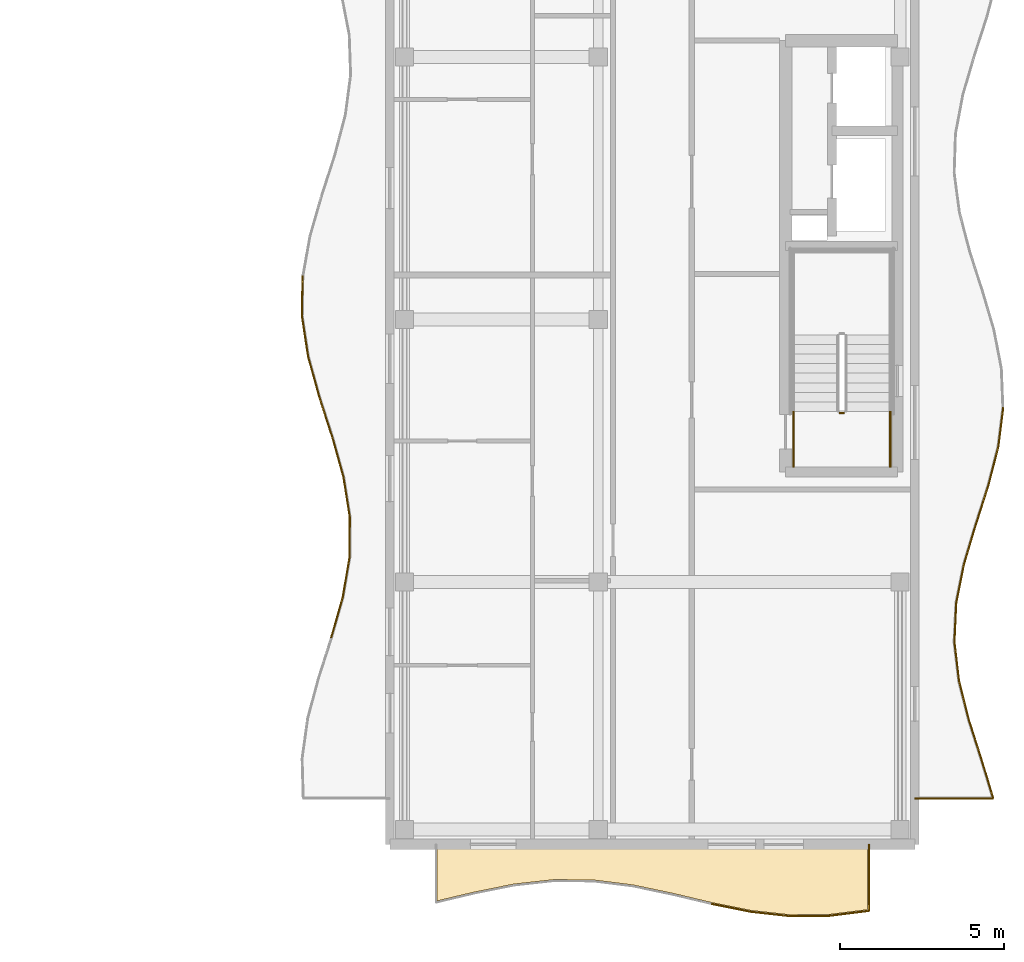
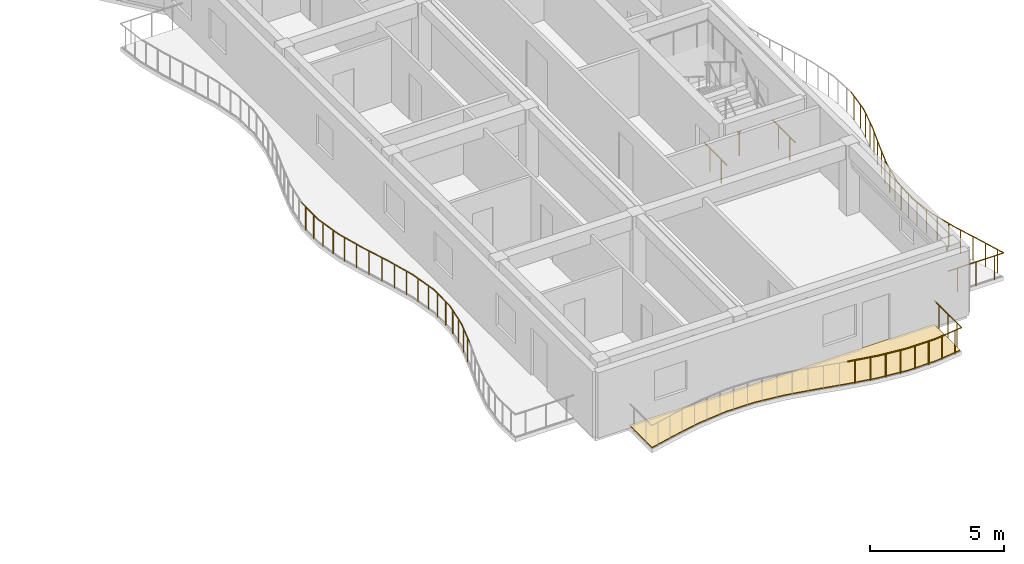
# One storey, part 62 of 68: 28 railings, 1 covering.
"""IFC4 building model written with IfcOpenShell, lengths in metres."""

from ifc_helpers import new_model, si_unit, direction, frame, origin, origin_2d, place, context, subcontext, project, spatial, polyline, circle, outline, extrude, material, layer, layer_set, type_object, element, save


model = new_model("IFC4")

# Units and contexts
model_context = context("Model", 3, precision=1e-05, world=origin(), true_north=direction((0.0, 1.0)))
body_context = subcontext(model_context, "Body", "Model", "MODEL_VIEW")
ifc_project = project(units=[si_unit("LENGTHUNIT", "METRE"), si_unit("AREAUNIT", "SQUARE_METRE"), si_unit("VOLUMEUNIT", "CUBIC_METRE"), si_unit("PLANEANGLEUNIT", "RADIAN"), si_unit("MASSUNIT", "GRAM", prefix="KILO")], contexts=[model_context])

# Site, building, storey
site_placement = place(None, origin())
site = spatial("IfcSite", under=ifc_project, at=site_placement, CompositionType="ELEMENT")
building_placement = place(site_placement, origin())
building = spatial("IfcBuilding", under=site, at=building_placement, Name="Keldmere Railside Commons", CompositionType="ELEMENT")
storey_placement = place(building_placement, frame((0.0, 0.0, 23.360107421875)))
storey = spatial("IfcBuildingStorey", under=building, at=storey_placement, Name="L07", CompositionType="ELEMENT", Elevation=23.360107421875)

# Railings
ifc_material_1 = material(Name="Steel F-24 (S235)", Category="steel")
railing_type_1 = type_object("IfcRailingType", Name="Balcony & Terrace Steel Balustrade 1100", PredefinedType="BALUSTRADE", material=ifc_material_1)
railing_1_placement = place(storey_placement, frame((166.208740234375, 62.300048828125, 0.0)))
element("IfcRailing", 1, at=railing_1_placement, inside=storey, type_object=railing_type_1, Name="GR-1 GRD-L07-3990", PredefinedType="BALUSTRADE", context=body_context, shape_type="SweptSolid", body=[
    extrude(circle(Radius=0.02392578125, at=origin_2d()), frame((0.0, 0.0, 1.076171875), z_axis=(0.275707887793, 0.961241468419, 0.0), x_axis=(-0.961241468419, 0.275707887793, 0.0)), (0.0, 0.0, 1.0), 1.274169921875),
    extrude(circle(Radius=0.02099609375, at=origin_2d()), frame((0.087890625, 0.30615234375, 0.0)), (0.0, 0.0, 1.0), 1.048095703125),
    extrude(circle(Radius=0.02099609375, at=origin_2d()), frame((0.263427734375, 0.918701171875, 0.0)), (0.0, 0.0, 1.0), 1.048095703125),
])
railing_2_placement = place(storey_placement, frame((166.56005859375, 63.52490234375, 0.0)))
element("IfcRailing", 2, at=railing_2_placement, inside=storey, type_object=railing_type_1, Name="GR-1 GRD-L07-3991", PredefinedType="BALUSTRADE", context=body_context, shape_type="SweptSolid", body=[
    extrude(circle(Radius=0.02392578125, at=origin_2d()), frame((0.0, 0.0, 1.076171875), z_axis=(0.16815679232, 0.985760261522, 0.0), x_axis=(-0.985760261522, 0.16815679232, 0.0)), (0.0, 0.0, 1.0), 1.24267578125),
    extrude(circle(Radius=0.02099609375, at=origin_2d()), frame((0.05224609375, 0.30615234375, 0.0)), (0.0, 0.0, 1.0), 1.048095703125),
    extrude(circle(Radius=0.02099609375, at=origin_2d()), frame((0.15673828125, 0.9189453125, 0.0)), (0.0, 0.0, 1.0), 1.048095703125),
])
railing_3_placement = place(storey_placement, frame((166.76904296875, 64.75, 0.0)))
element("IfcRailing", 3, at=railing_3_placement, inside=storey, type_object=railing_type_1, Name="GR-1 GRD-L07-3992", PredefinedType="BALUSTRADE", context=body_context, shape_type="SweptSolid", body=[
    extrude(circle(Radius=0.02392578125, at=origin_2d()), frame((0.0, 0.0, 1.076171875), z_axis=(0.006775452287, 0.99997704636, 0.0), x_axis=(-0.99997704636, 0.006775452287, 0.0)), (0.0, 0.0, 1.0), 1.22509765625),
    extrude(circle(Radius=0.02099609375, at=origin_2d()), frame((0.001953125, 0.30615234375, 0.0)), (0.0, 0.0, 1.0), 1.048095703125),
    extrude(circle(Radius=0.02099609375, at=origin_2d()), frame((0.00634765625, 0.9189453125, 0.0)), (0.0, 0.0, 1.0), 1.048095703125),
])
railing_4_placement = place(storey_placement, frame((166.77734375, 65.97509765625, 0.0)))
element("IfcRailing", 4, at=railing_4_placement, inside=storey, type_object=railing_type_1, Name="GR-1 GRD-L07-3993", PredefinedType="BALUSTRADE", context=body_context, shape_type="SweptSolid", body=[
    extrude(circle(Radius=0.02392578125, at=origin_2d()), frame((0.0, 0.0, 1.076171875), z_axis=(-0.156700488584, 0.98764616988, 0.0), x_axis=(-0.98764616988, -0.156700488584, 0.0)), (0.0, 0.0, 1.0), 1.240234375),
    extrude(circle(Radius=0.02099609375, at=origin_2d()), frame((-0.048583984375, 0.30615234375, 0.0)), (0.0, 0.0, 1.0), 1.048095703125),
    extrude(circle(Radius=0.02099609375, at=origin_2d()), frame((-0.145751953125, 0.918701171875, 0.0)), (0.0, 0.0, 1.0), 1.048095703125),
])
railing_5_placement = place(storey_placement, frame((166.5830078125, 67.199951171875, 0.0)))
element("IfcRailing", 5, at=railing_5_placement, inside=storey, type_object=railing_type_1, Name="GR-1 GRD-L07-3994", PredefinedType="BALUSTRADE", context=body_context, shape_type="SweptSolid", body=[
    extrude(circle(Radius=0.02392578125, at=origin_2d()), frame((0.0, 0.0, 1.076171875), z_axis=(-0.269800745392, 0.962916173811, 0.0), x_axis=(-0.962916173811, -0.269800745392, 0.0)), (0.0, 0.0, 1.0), 1.272216796875),
    extrude(circle(Radius=0.02099609375, at=origin_2d()), frame((-0.0859375, 0.30615234375, 0.0)), (0.0, 0.0, 1.0), 1.048095703125),
    extrude(circle(Radius=0.02099609375, at=origin_2d()), frame((-0.25732421875, 0.9189453125, 0.0)), (0.0, 0.0, 1.0), 1.048095703125),
])
railing_6_placement = place(storey_placement, frame((166.23974609375, 68.425048828125, 0.0)))
element("IfcRailing", 6, at=railing_6_placement, inside=storey, type_object=railing_type_1, Name="GR-1 GRD-L07-3995", PredefinedType="BALUSTRADE", context=body_context, shape_type="SweptSolid", body=[
    extrude(circle(Radius=0.02392578125, at=origin_2d()), frame((0.0, 0.0, 1.076171875), z_axis=(-0.307623344655, 0.951508212168, 0.0), x_axis=(-0.951508212168, -0.307623344655, 0.0)), (0.0, 0.0, 1.0), 1.287353515625),
    extrude(circle(Radius=0.02099609375, at=origin_2d()), frame((-0.09912109375, 0.30615234375, 0.0)), (0.0, 0.0, 1.0), 1.048095703125),
    extrude(circle(Radius=0.02099609375, at=origin_2d()), frame((-0.296875, 0.918701171875, 0.0)), (0.0, 0.0, 1.0), 1.048095703125),
])
railing_7_placement = place(storey_placement, frame((165.84375, 69.64990234375, 0.0)))
element("IfcRailing", 7, at=railing_7_placement, inside=storey, type_object=railing_type_1, Name="GR-1 GRD-L07-3996", PredefinedType="BALUSTRADE", context=body_context, shape_type="SweptSolid", body=[
    extrude(circle(Radius=0.02392578125, at=origin_2d()), frame((0.0, 0.0, 1.076171875), z_axis=(-0.266415213687, 0.963858357808, 0.0), x_axis=(-0.963858357808, -0.266415213687, 0.0)), (0.0, 0.0, 1.0), 1.27099609375),
    extrude(circle(Radius=0.02099609375, at=origin_2d()), frame((-0.084716796875, 0.30615234375, 0.0)), (0.0, 0.0, 1.0), 1.048095703125),
    extrude(circle(Radius=0.02099609375, at=origin_2d()), frame((-0.25390625, 0.9189453125, 0.0)), (0.0, 0.0, 1.0), 1.048095703125),
])
railing_8_placement = place(storey_placement, frame((165.505126953125, 70.875, 0.0)))
element("IfcRailing", 8, at=railing_8_placement, inside=storey, type_object=railing_type_1, Name="GR-1 GRD-L07-3997", PredefinedType="BALUSTRADE", context=body_context, shape_type="SweptSolid", body=[
    extrude(circle(Radius=0.02392578125, at=origin_2d()), frame((0.0, 0.0, 1.076171875), z_axis=(-0.15051734349, 0.98860736863, 0.0), x_axis=(-0.98860736863, -0.15051734349, 0.0)), (0.0, 0.0, 1.0), 1.2392578125),
    extrude(circle(Radius=0.02099609375, at=origin_2d()), frame((-0.046630859375, 0.30615234375, 0.0)), (0.0, 0.0, 1.0), 1.048095703125),
    extrude(circle(Radius=0.02099609375, at=origin_2d()), frame((-0.139892578125, 0.9189453125, 0.0)), (0.0, 0.0, 1.0), 1.048095703125),
])
railing_9_placement = place(storey_placement, frame((165.318603515625, 72.10009765625, 0.0)))
element("IfcRailing", 9, at=railing_9_placement, inside=storey, type_object=railing_type_1, Name="GR-1 GRD-L07-3998", PredefinedType="BALUSTRADE", context=body_context, shape_type="SweptSolid", body=[
    extrude(circle(Radius=0.02392578125, at=origin_2d()), frame((0.0, 0.0, 1.076171875), z_axis=(0.014349728262, 0.999897037349, 0.0), x_axis=(-0.999897037349, 0.014349728262, 0.0)), (0.0, 0.0, 1.0), 1.22509765625),
    extrude(circle(Radius=0.02099609375, at=origin_2d()), frame((0.00439453125, 0.30615234375, 0.0)), (0.0, 0.0, 1.0), 1.048095703125),
    extrude(circle(Radius=0.02099609375, at=origin_2d()), frame((0.01318359375, 0.918701171875, 0.0)), (0.0, 0.0, 1.0), 1.048095703125),
])
railing_10_placement = place(storey_placement, frame((184.0, 57.39990234375, 0.0)))
element("IfcRailing", 10, at=railing_10_placement, inside=storey, type_object=railing_type_1, Name="GR-1 GRD-L07-4011", PredefinedType="BALUSTRADE", context=body_context, shape_type="SweptSolid", body=[
    extrude(circle(Radius=0.02392578125, at=origin_2d()), frame((0.0, 0.0, 1.076171875), z_axis=(1.0, 0.0, 0.0), x_axis=(0.0, 1.0, 0.0)), (0.0, 0.0, 1.0), 2.388671875),
    extrude(circle(Radius=0.02099609375, at=origin_2d()), frame((0.398193359375, 0.0, 0.0)), (0.0, 0.0, 1.0), 1.048095703125),
    extrude(circle(Radius=0.02099609375, at=origin_2d()), frame((1.1943359375, 0.0, 0.0)), (0.0, 0.0, 1.0), 1.048095703125),
    extrude(circle(Radius=0.02099609375, at=origin_2d()), frame((1.990478515625, 0.0, 0.0)), (0.0, 0.0, 1.0), 1.048095703125),
])
railing_11_placement = place(storey_placement, frame((186.388671875, 57.39990234375, 0.0)))
element("IfcRailing", 11, at=railing_11_placement, inside=storey, type_object=railing_type_1, Name="GR-1 GRD-L07-4012", PredefinedType="BALUSTRADE", context=body_context, shape_type="SweptSolid", body=[
    extrude(circle(Radius=0.02392578125, at=origin_2d()), frame((0.0, 0.0, 1.076171875), z_axis=(-0.289218193733, 0.957263201222, 0.0), x_axis=(-0.957263201222, -0.289218193733, 0.0)), (0.0, 0.0, 1.0), 1.2451171875),
    extrude(circle(Radius=0.02099609375, at=origin_2d()), frame((-0.090087890625, 0.2978515625, 0.0)), (0.0, 0.0, 1.0), 1.048095703125),
    extrude(circle(Radius=0.02099609375, at=origin_2d()), frame((-0.27001953125, 0.89404296875, 0.0)), (0.0, 0.0, 1.0), 1.048095703125),
])
railing_12_placement = place(storey_placement, frame((186.028564453125, 58.591796875, 0.0)))
element("IfcRailing", 12, at=railing_12_placement, inside=storey, type_object=railing_type_1, Name="GR-1 GRD-L07-4013", PredefinedType="BALUSTRADE", context=body_context, shape_type="SweptSolid", body=[
    extrude(circle(Radius=0.02392578125, at=origin_2d()), frame((0.0, 0.0, 1.076171875), z_axis=(-0.304669497425, 0.952458134166, 0.0), x_axis=(-0.952458134166, -0.304669497425, 0.0)), (0.0, 0.0, 1.0), 1.2509765625),
    extrude(circle(Radius=0.02099609375, at=origin_2d()), frame((-0.09521484375, 0.2978515625, 0.0)), (0.0, 0.0, 1.0), 1.048095703125),
    extrude(circle(Radius=0.02099609375, at=origin_2d()), frame((-0.285888671875, 0.8935546875, 0.0)), (0.0, 0.0, 1.0), 1.048095703125),
])
railing_13_placement = place(storey_placement, frame((185.6474609375, 59.783203125, 0.0)))
element("IfcRailing", 13, at=railing_13_placement, inside=storey, type_object=railing_type_1, Name="GR-1 GRD-L07-4014", PredefinedType="BALUSTRADE", context=body_context, shape_type="SweptSolid", body=[
    extrude(circle(Radius=0.02392578125, at=origin_2d()), frame((0.0, 0.0, 1.076171875), z_axis=(-0.244871369054, 0.969555574796, 0.0), x_axis=(-0.969555574796, -0.244871369054, 0.0)), (0.0, 0.0, 1.0), 1.229248046875),
    extrude(circle(Radius=0.02099609375, at=origin_2d()), frame((-0.0751953125, 0.2978515625, 0.0)), (0.0, 0.0, 1.0), 1.048095703125),
    extrude(circle(Radius=0.02099609375, at=origin_2d()), frame((-0.225830078125, 0.89404296875, 0.0)), (0.0, 0.0, 1.0), 1.048095703125),
])
railing_14_placement = place(storey_placement, frame((185.346435546875, 60.97509765625, 0.0)))
element("IfcRailing", 14, at=railing_14_placement, inside=storey, type_object=railing_type_1, Name="GR-1 GRD-L07-4015", PredefinedType="BALUSTRADE", context=body_context, shape_type="SweptSolid", body=[
    extrude(circle(Radius=0.02392578125, at=origin_2d()), frame((0.0, 0.0, 1.076171875), z_axis=(-0.117797337256, 0.993037656555, 0.0), x_axis=(-0.993037656555, -0.117797337256, 0.0)), (0.0, 0.0, 1.0), 1.199951171875),
    extrude(circle(Radius=0.02099609375, at=origin_2d()), frame((-0.035400390625, 0.2978515625, 0.0)), (0.0, 0.0, 1.0), 1.048095703125),
    extrude(circle(Radius=0.02099609375, at=origin_2d()), frame((-0.10595703125, 0.893798828125, 0.0)), (0.0, 0.0, 1.0), 1.048095703125),
])
railing_15_placement = place(storey_placement, frame((185.205078125, 62.166748046875, 0.0)))
element("IfcRailing", 15, at=railing_15_placement, inside=storey, type_object=railing_type_1, Name="GR-1 GRD-L07-4016", PredefinedType="BALUSTRADE", context=body_context, shape_type="SweptSolid", body=[
    extrude(circle(Radius=0.02392578125, at=origin_2d()), frame((0.0, 0.0, 1.076171875), z_axis=(0.046456650211, 0.998920306957, 0.0), x_axis=(-0.998920306957, 0.046456650211, 0.0)), (0.0, 0.0, 1.0), 1.19287109375),
    extrude(circle(Radius=0.02099609375, at=origin_2d()), frame((0.013916015625, 0.2978515625, 0.0)), (0.0, 0.0, 1.0), 1.048095703125),
    extrude(circle(Radius=0.02099609375, at=origin_2d()), frame((0.04150390625, 0.893798828125, 0.0)), (0.0, 0.0, 1.0), 1.048095703125),
])
railing_16_placement = place(storey_placement, frame((185.260498046875, 63.3583984375, 0.0)))
element("IfcRailing", 16, at=railing_16_placement, inside=storey, type_object=railing_type_1, Name="GR-1 GRD-L07-4017", PredefinedType="BALUSTRADE", context=body_context, shape_type="SweptSolid", body=[
    extrude(circle(Radius=0.02392578125, at=origin_2d()), frame((0.0, 0.0, 1.076171875), z_axis=(0.1954978722, 0.980704125598, 0.0), x_axis=(-0.980704125598, 0.1954978722, 0.0)), (0.0, 0.0, 1.0), 1.215087890625),
    extrude(circle(Radius=0.02099609375, at=origin_2d()), frame((0.059326171875, 0.2978515625, 0.0)), (0.0, 0.0, 1.0), 1.048095703125),
    extrude(circle(Radius=0.02099609375, at=origin_2d()), frame((0.17822265625, 0.893798828125, 0.0)), (0.0, 0.0, 1.0), 1.048095703125),
])
railing_17_placement = place(storey_placement, frame((185.498046875, 64.550048828125, 0.0)))
element("IfcRailing", 17, at=railing_17_placement, inside=storey, type_object=railing_type_1, Name="GR-1 GRD-L07-4018", PredefinedType="BALUSTRADE", context=body_context, shape_type="SweptSolid", body=[
    extrude(circle(Radius=0.02392578125, at=origin_2d()), frame((0.0, 0.0, 1.076171875), z_axis=(0.287113817299, 0.957896474529, 0.0), x_axis=(-0.957896474529, 0.287113817299, 0.0)), (0.0, 0.0, 1.0), 1.244140625),
    extrude(circle(Radius=0.02099609375, at=origin_2d()), frame((0.08935546875, 0.2978515625, 0.0)), (0.0, 0.0, 1.0), 1.048095703125),
    extrude(circle(Radius=0.02099609375, at=origin_2d()), frame((0.267822265625, 0.893798828125, 0.0)), (0.0, 0.0, 1.0), 1.048095703125),
])
railing_18_placement = place(storey_placement, frame((185.855224609375, 65.74169921875, 0.0)))
element("IfcRailing", 18, at=railing_18_placement, inside=storey, type_object=railing_type_1, Name="GR-1 GRD-L07-4019", PredefinedType="BALUSTRADE", context=body_context, shape_type="SweptSolid", body=[
    extrude(circle(Radius=0.02392578125, at=origin_2d()), frame((0.0, 0.0, 1.076171875), z_axis=(0.30532074871, 0.952249568342, 0.0), x_axis=(-0.952249568342, 0.30532074871, 0.0)), (0.0, 0.0, 1.0), 1.25146484375),
    extrude(circle(Radius=0.02099609375, at=origin_2d()), frame((0.095458984375, 0.2978515625, 0.0)), (0.0, 0.0, 1.0), 1.048095703125),
    extrude(circle(Radius=0.02099609375, at=origin_2d()), frame((0.28662109375, 0.893798828125, 0.0)), (0.0, 0.0, 1.0), 1.048095703125),
])
railing_19_placement = place(storey_placement, frame((186.2373046875, 66.933349609375, 0.0)))
element("IfcRailing", 19, at=railing_19_placement, inside=storey, type_object=railing_type_1, Name="GR-1 GRD-L07-4020", PredefinedType="BALUSTRADE", context=body_context, shape_type="SweptSolid", body=[
    extrude(circle(Radius=0.02392578125, at=origin_2d()), frame((0.0, 0.0, 1.076171875), z_axis=(0.249019769385, 0.968498401886, 0.0), x_axis=(-0.968498401886, 0.249019769385, 0.0)), (0.0, 0.0, 1.0), 1.23046875),
    extrude(circle(Radius=0.02099609375, at=origin_2d()), frame((0.07666015625, 0.2978515625, 0.0)), (0.0, 0.0, 1.0), 1.048095703125),
    extrude(circle(Radius=0.02099609375, at=origin_2d()), frame((0.229736328125, 0.893798828125, 0.0)), (0.0, 0.0, 1.0), 1.048095703125),
])
railing_20_placement = place(storey_placement, frame((186.543701171875, 68.125, 0.0)))
element("IfcRailing", 20, at=railing_20_placement, inside=storey, type_object=railing_type_1, Name="GR-1 GRD-L07-4021", PredefinedType="BALUSTRADE", context=body_context, shape_type="SweptSolid", body=[
    extrude(circle(Radius=0.02392578125, at=origin_2d()), frame((0.0, 0.0, 1.076171875), z_axis=(0.124209874366, 0.992255968543, 0.0), x_axis=(-0.992255968543, 0.124209874366, 0.0)), (0.0, 0.0, 1.0), 1.200927734375),
    extrude(circle(Radius=0.02099609375, at=origin_2d()), frame((0.037353515625, 0.2978515625, 0.0)), (0.0, 0.0, 1.0), 1.048095703125),
    extrude(circle(Radius=0.02099609375, at=origin_2d()), frame((0.11181640625, 0.893798828125, 0.0)), (0.0, 0.0, 1.0), 1.048095703125),
])
railing_21_placement = place(storey_placement, frame((177.800048828125, 54.18798828125, 0.0)))
element("IfcRailing", 21, at=railing_21_placement, inside=storey, type_object=railing_type_1, Name="GR-1 GRD-L07-4082", PredefinedType="BALUSTRADE", context=body_context, shape_type="SweptSolid", body=[
    extrude(circle(Radius=0.02392578125, at=origin_2d()), frame((0.0, 0.0, 1.076171875), z_axis=(0.9804269321, -0.196883292367, 0.0), x_axis=(0.196883292367, 0.9804269321, 0.0)), (0.0, 0.0, 1.0), 1.223876953125),
    extrude(circle(Radius=0.02099609375, at=origin_2d()), frame((0.300048828125, -0.060302734375, 0.0)), (0.0, 0.0, 1.0), 1.048095703125),
    extrude(circle(Radius=0.02099609375, at=origin_2d()), frame((0.89990234375, -0.1806640625, 0.0)), (0.0, 0.0, 1.0), 1.048095703125),
])
railing_22_placement = place(storey_placement, frame((179.0, 53.947021484375, 0.0)))
element("IfcRailing", 22, at=railing_22_placement, inside=storey, type_object=railing_type_1, Name="GR-1 GRD-L07-4083", PredefinedType="BALUSTRADE", context=body_context, shape_type="SweptSolid", body=[
    extrude(circle(Radius=0.02392578125, at=origin_2d()), frame((0.0, 0.0, 1.076171875), z_axis=(0.993886200461, -0.11040933173, 0.0), x_axis=(0.11040933173, 0.993886200461, 0.0)), (0.0, 0.0, 1.0), 1.207275390625),
    extrude(circle(Radius=0.02099609375, at=origin_2d()), frame((0.300048828125, -0.033203125, 0.0)), (0.0, 0.0, 1.0), 1.048095703125),
    extrude(circle(Radius=0.02099609375, at=origin_2d()), frame((0.89990234375, -0.10009765625, 0.0)), (0.0, 0.0, 1.0), 1.048095703125),
])
railing_23_placement = place(storey_placement, frame((180.199951171875, 53.813720703125, 0.0)))
element("IfcRailing", 23, at=railing_23_placement, inside=storey, type_object=railing_type_1, Name="GR-1 GRD-L07-4084", PredefinedType="BALUSTRADE", context=body_context, shape_type="SweptSolid", body=[
    extrude(circle(Radius=0.02392578125, at=origin_2d()), frame((0.0, 0.0, 1.076171875), z_axis=(0.999959931581, 0.008951828482, 0.0), x_axis=(-0.008951828482, 0.999959931581, 0.0)), (0.0, 0.0, 1.0), 1.199951171875),
    extrude(circle(Radius=0.02099609375, at=origin_2d()), frame((0.300048828125, 0.002685546875, 0.0)), (0.0, 0.0, 1.0), 1.048095703125),
    extrude(circle(Radius=0.02099609375, at=origin_2d()), frame((0.89990234375, 0.008056640625, 0.0)), (0.0, 0.0, 1.0), 1.048095703125),
])
railing_24_placement = place(storey_placement, frame((181.39990234375, 53.824462890625, 0.0)))
element("IfcRailing", 24, at=railing_24_placement, inside=storey, type_object=railing_type_1, Name="GR-1 GRD-L07-4085", PredefinedType="BALUSTRADE", context=body_context, shape_type="SweptSolid", body=[
    extrude(circle(Radius=0.02392578125, at=origin_2d()), frame((0.0, 0.0, 1.076171875), z_axis=(0.992140659096, 0.125127585159, 0.0), x_axis=(-0.125127585159, 0.992140659096, 0.0)), (0.0, 0.0, 1.0), 1.209716796875),
    extrude(circle(Radius=0.02099609375, at=origin_2d()), frame((0.300048828125, 0.037841796875, 0.0)), (0.0, 0.0, 1.0), 1.048095703125),
    extrude(circle(Radius=0.02099609375, at=origin_2d()), frame((0.900146484375, 0.113525390625, 0.0)), (0.0, 0.0, 1.0), 1.048095703125),
])
railing_25_placement = place(storey_placement, frame((182.60009765625, 53.975830078125, 0.0)))
element("IfcRailing", 25, at=railing_25_placement, inside=storey, type_object=railing_type_1, Name="GR-1 GRD-L07-4086", PredefinedType="BALUSTRADE", context=body_context, shape_type="SweptSolid", body=[
    extrude(circle(Radius=0.02392578125, at=origin_2d()), frame((0.0, 0.0, 1.076171875), z_axis=(0.0, 1.0, 0.0), x_axis=(-1.0, 0.0, 0.0)), (0.0, 0.0, 1.0), 2.024169921875),
    extrude(circle(Radius=0.02099609375, at=origin_2d()), frame((0.0, 0.33740234375, 0.0)), (0.0, 0.0, 1.0), 1.048095703125),
    extrude(circle(Radius=0.02099609375, at=origin_2d()), frame((0.0, 1.01220703125, 0.0)), (0.0, 0.0, 1.0), 1.048095703125),
    extrude(circle(Radius=0.02099609375, at=origin_2d()), frame((0.0, 1.686767578125, 0.0)), (0.0, 0.0, 1.0), 1.048095703125),
])
railing_type_2 = type_object("IfcRailingType", Name="Stair Well Steel Guardrail 1100", PredefinedType="BALUSTRADE", material=ifc_material_1)
railing_26_placement = place(storey_placement, frame((181.85009765625, 69.14990234375, 0.0)))
element("IfcRailing", 26, at=railing_26_placement, inside=storey, type_object=railing_type_2, Name="L07 ST-A1 stair guard 7", PredefinedType="BALUSTRADE", context=body_context, shape_type="SweptSolid", body=[
    extrude(circle(Radius=0.02392578125, at=origin_2d()), frame((0.0, 0.0, 1.076171875), z_axis=(-1.0, 0.0, 0.0), x_axis=(0.0, -1.0, 0.0)), (0.0, 0.0, 1.0), 0.150146484375),
    extrude(circle(Radius=0.02099609375, at=origin_2d()), frame((-0.0751953125, 0.0, 0.0)), (0.0, 0.0, 1.0), 1.048095703125),
])
for number, where, name in (
    (27, (183.25, 67.5, 0.0), "L07 ST-A1 stair guard 8"),
    (28, (180.300048828125, 67.5, 0.0), "L07 ST-A1 stair guard 9"),
):
    element("IfcRailing", number, at=place(storey_placement, frame(where)), inside=storey, type_object=railing_type_2, Name=name, PredefinedType="BALUSTRADE", context=body_context, shape_type="SweptSolid", body=[
        extrude(circle(Radius=0.02392578125, at=origin_2d()), frame((0.0, 0.0, 1.076171875), z_axis=(0.0, 1.0, 0.0), x_axis=(-1.0, 0.0, 0.0)), (0.0, 0.0, 1.0), 1.699951171875),
        extrude(circle(Radius=0.02099609375, at=origin_2d()), frame((0.0, 0.425048828125, 0.0)), (0.0, 0.0, 1.0), 1.048095703125),
        extrude(circle(Radius=0.02099609375, at=origin_2d()), frame((0.0, 1.27490234375, 0.0)), (0.0, 0.0, 1.0), 1.048095703125),
    ])

# Covering
ifc_material_2 = material(Name="White Precast Concrete C35/45", Category="concrete")
ifc_layer = layer(ifc_material_2, 0.044921875, Name="White Architectural Balcony Ribbon Cladding 45")
ifc_layer_set = layer_set([ifc_layer], Name="White Precast Concrete C35/45")
covering_type = type_object("IfcCoveringType", Name="White Architectural Balcony Ribbon Cladding 45", PredefinedType="FLOORING", material=ifc_layer_set)
covering_placement = place(storey_placement, origin())
element("IfcCovering", 29, at=covering_placement, inside=storey, type_object=covering_type, Name="CLG-WB A L07 S White Balcony Ribbon", PredefinedType="FLOORING", context=body_context, shape_type="SweptSolid", body=[
    extrude(outline(polyline([(170.5908203125, 54.55078125), (170.592041015625, 54.551025390625), (171.7919921875, 54.792236328125), (171.795654296875, 54.792724609375), (172.99560546875, 54.926025390625), (173.00048828125, 54.92626953125), (174.200439453125, 54.91552734375), (174.205078125, 54.915283203125), (175.405029296875, 54.763916015625), (175.408203125, 54.76318359375), (176.608154296875, 54.51171875), (176.609130859375, 54.511474609375), (177.80859375, 54.227294921875), (179.006103515625, 53.986572265625), (180.201904296875, 53.853759765625), (181.397216796875, 53.864501953125), (182.56005859375, 54.010986328125), (182.56005859375, 55.9599609375), (169.43994140625, 55.9599609375), (169.43994140625, 54.278076171875), (170.5908203125, 54.55078125)])), origin(), (0.0, 0.0, 1.0), 0.044921875),
])

save(model, "model.ifc")
